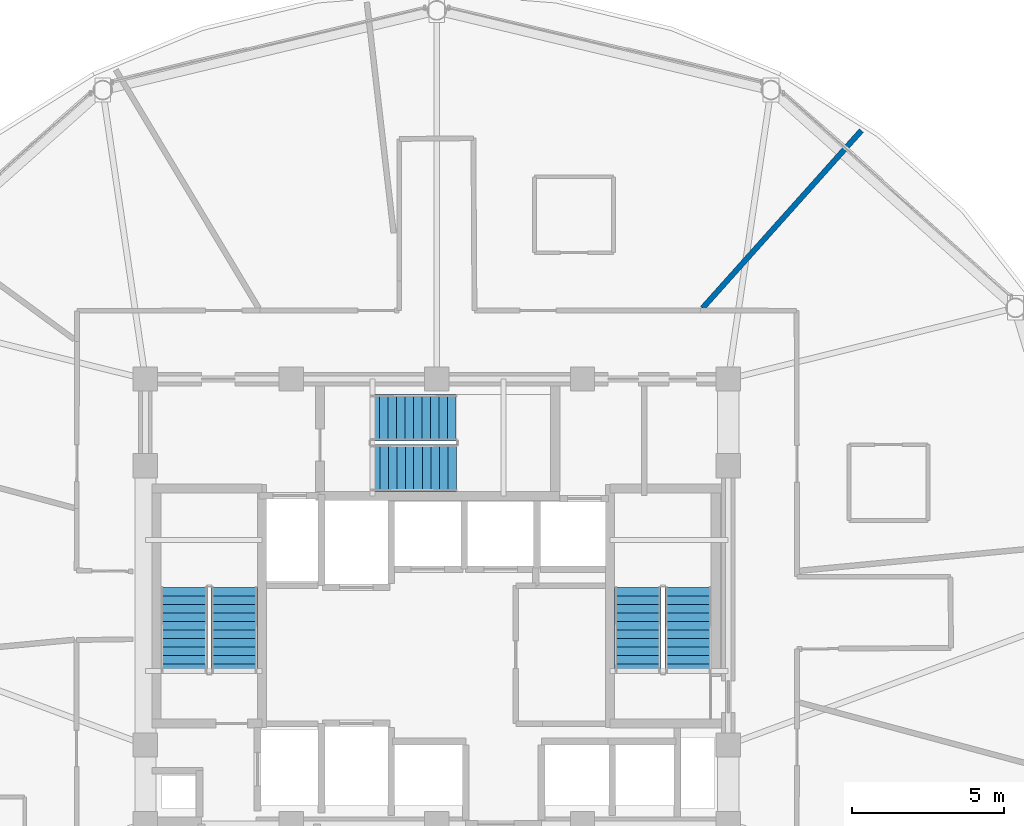
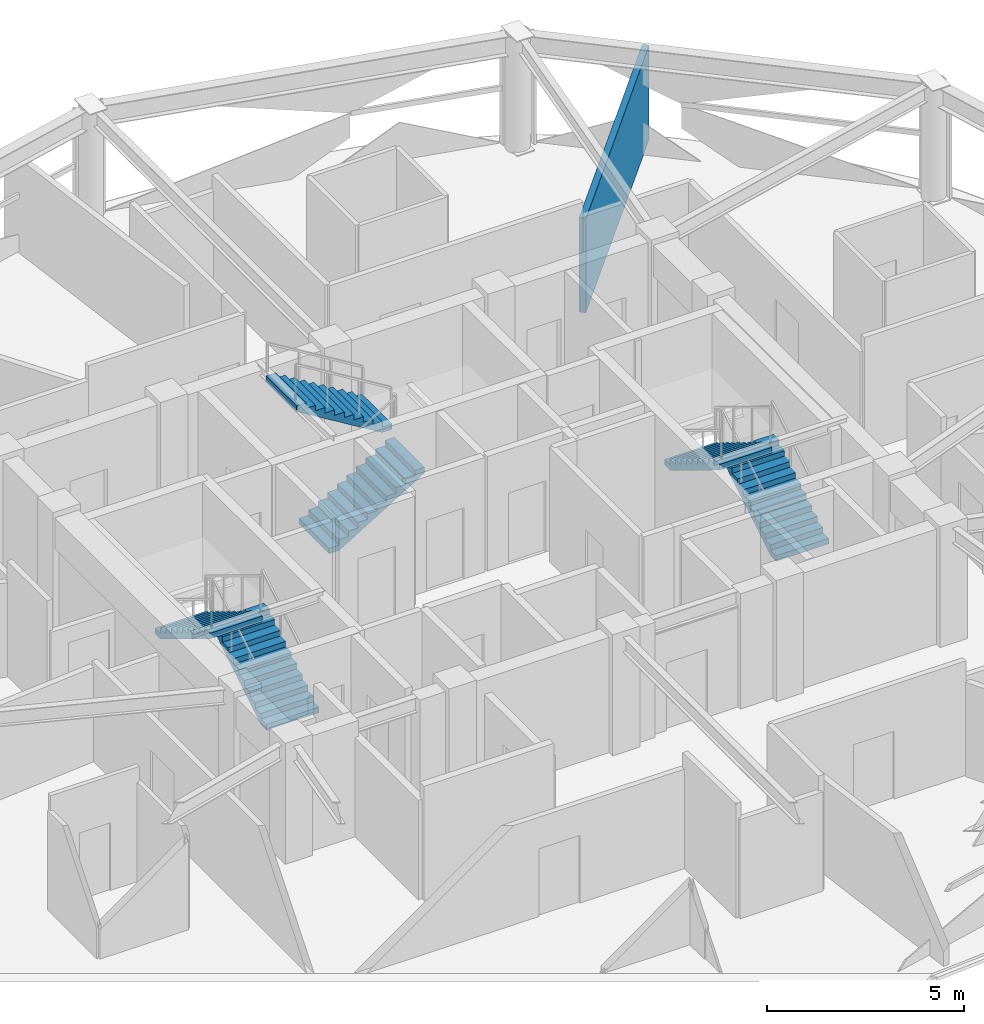
# One storey, part 24 of 28: 6 stair flights, 1 wall, 3 elements without a shape of their own.
"""IFC4 building model written with IfcOpenShell, lengths in metres."""

from ifc_helpers import new_model, si_unit, direction, frame, frame_2d, origin, place, context, subcontext, project, spatial, polyline, rectangle, outline, extrude, material, layer, layer_set, type_object, element, aggregate, save


model = new_model("IFC4")

# Units and contexts
model_context = context("Model", 3, precision=1e-05, world=origin(), true_north=direction((0.0, 1.0)))
body_context = subcontext(model_context, "Body", "Model", "MODEL_VIEW")
ifc_project = project(units=[si_unit("LENGTHUNIT", "METRE"), si_unit("AREAUNIT", "SQUARE_METRE"), si_unit("VOLUMEUNIT", "CUBIC_METRE"), si_unit("PLANEANGLEUNIT", "RADIAN"), si_unit("MASSUNIT", "GRAM", prefix="KILO")], contexts=[model_context])

# Site, building, storey
site_placement = place(None, origin())
site = spatial("IfcSite", under=ifc_project, at=site_placement, CompositionType="ELEMENT")
building_placement = place(site_placement, origin())
building = spatial("IfcBuilding", under=site, at=building_placement, Name="Vantalir Tower", CompositionType="ELEMENT")
storey_placement = place(building_placement, frame((0.0, 0.0, 223.64990234375)))
storey = spatial("IfcBuildingStorey", under=building, at=storey_placement, Name="L56", CompositionType="ELEMENT", Elevation=223.64990234375)

# Wall
ifc_material_1 = material(Name="Twin-stud acoustic fire-rated gypsum partition", Category="gypsum")
ifc_layer = layer(ifc_material_1, 0.179931640625)
ifc_layer_set = layer_set([ifc_layer], Name="Twin-stud acoustic fire-rated gypsum partition")
wall_type = type_object("IfcWallType", Name="WL-GUEST-180", PredefinedType="PARTITIONING", material=ifc_layer_set)
wall_placement = place(storey_placement, frame((40.2548828125, 34.7900390625, 0.0), z_axis=(0.0, 0.0, 1.0), x_axis=(0.666714816624, 0.745312923069, 0.0)))
element("IfcWall", 1, at=wall_placement, inside=storey, type_object=wall_type, Name="L56 Radial Suite Partition 02", PredefinedType="PARTITIONING", context=body_context, shape_type="SweptSolid", body=[
    extrude(rectangle(XDim=7.84619140625, YDim=0.179931640625, at=frame_2d((3.923095703125, 0.0))), origin(), (0.0, 0.0, 1.0), 2.925048828125),
])

# Stair, stair flights
ifc_material_2 = material(Name="Concrete C40/50", Category="concrete")
stair_type = type_object("IfcStairType", Name="STR-CORE-1450", PredefinedType="HALF_TURN_STAIR", material=ifc_material_2)
stair_1_placement = place(storey_placement, origin())
stair_1 = element("IfcStair", 2, at=stair_1_placement, inside=storey, type_object=stair_type, Name="L56 Core Exit Stair 1", PredefinedType="HALF_TURN_STAIR")
stair_flight_type = type_object("IfcStairFlightType", Name="FLT-CORE-1450", PredefinedType="STRAIGHT", material=ifc_material_2)
stair_flight_1_placement = place(storey_placement, frame((24.830078125, 22.7900390625, 0.0), z_axis=(0.0, 0.0, 1.0), x_axis=(0.0, 1.0, 0.0)))
stair_flight_1 = element("IfcStairFlight", 3, at=stair_flight_1_placement, type_object=stair_flight_type, Name="ST1 flight 1", NumberOfRisers=11, NumberOfTreads=10, PredefinedType="STRAIGHT", RiserHeight=0.170454545, TreadLength=0.28, context=body_context, shape_type="SweptSolid", body=[
    extrude(outline(polyline([(0.0, 0.0), (0.0, 0.17041015625), (0.280029296875, 0.17041015625), (0.280029296875, 0.3408203125), (0.56005859375, 0.3408203125), (0.56005859375, 0.511474609375), (0.840087890625, 0.511474609375), (0.840087890625, 0.681884765625), (1.1201171875, 0.681884765625), (1.1201171875, 0.852294921875), (1.39990234375, 0.852294921875), (1.39990234375, 1.022705078125), (1.679931640625, 1.022705078125), (1.679931640625, 1.193115234375), (1.9599609375, 1.193115234375), (1.9599609375, 1.363525390625), (2.239990234375, 1.363525390625), (2.239990234375, 1.5341796875), (2.52001953125, 1.5341796875), (2.52001953125, 1.70458984375), (2.800048828125, 1.70458984375), (2.800048828125, 1.875), (2.800048828125, 1.529052734375), (0.288330078125, 0.0), (0.0, 0.0)])), frame((0.0, 0.77001953125, 0.0), z_axis=(0.0, -1.0, 0.0), x_axis=(1.0, 0.0, 0.0)), (0.0, 0.0, 1.0), 1.5400390625),
])
stair_flight_2_placement = place(storey_placement, frame((23.169921875, 25.590087890625, 1.875), z_axis=(0.0, 0.0, 1.0), x_axis=(0.0, -1.0, 0.0)))
stair_flight_2 = element("IfcStairFlight", 4, at=stair_flight_2_placement, type_object=stair_flight_type, Name="ST1 flight 2", NumberOfRisers=11, NumberOfTreads=10, PredefinedType="STRAIGHT", RiserHeight=0.170454545, TreadLength=0.28, context=body_context, shape_type="SweptSolid", body=[
    extrude(outline(polyline([(0.0, 0.0), (0.0, 0.17041015625), (0.280029296875, 0.17041015625), (0.280029296875, 0.3408203125), (0.56005859375, 0.3408203125), (0.56005859375, 0.511474609375), (0.840087890625, 0.511474609375), (0.840087890625, 0.681884765625), (1.1201171875, 0.681884765625), (1.1201171875, 0.852294921875), (1.39990234375, 0.852294921875), (1.39990234375, 1.022705078125), (1.679931640625, 1.022705078125), (1.679931640625, 1.193115234375), (1.9599609375, 1.193115234375), (1.9599609375, 1.363525390625), (2.239990234375, 1.363525390625), (2.239990234375, 1.5341796875), (2.52001953125, 1.5341796875), (2.52001953125, 1.70458984375), (2.800048828125, 1.70458984375), (2.800048828125, 1.875), (2.800048828125, 1.529052734375), (0.288330078125, 0.0), (0.0, 0.0)])), frame((0.0, 0.77001953125, 0.0), z_axis=(0.0, -1.0, 0.0), x_axis=(1.0, 0.0, 0.0)), (0.0, 0.0, 1.0), 1.5400390625),
])
aggregate(stair_1, [stair_flight_1, stair_flight_2])

stair_2_placement = place(storey_placement, origin())
stair_2 = element("IfcStair", 5, at=stair_2_placement, inside=storey, type_object=stair_type, Name="L56 Core Exit Stair 2", PredefinedType="HALF_TURN_STAIR")
stair_flight_3_placement = place(storey_placement, frame((39.780029296875, 22.7900390625, 0.0), z_axis=(0.0, 0.0, 1.0), x_axis=(0.0, 1.0, 0.0)))
stair_flight_3 = element("IfcStairFlight", 6, at=stair_flight_3_placement, type_object=stair_flight_type, Name="ST2 flight 1", NumberOfRisers=11, NumberOfTreads=10, PredefinedType="STRAIGHT", RiserHeight=0.170454545, TreadLength=0.28, context=body_context, shape_type="SweptSolid", body=[
    extrude(outline(polyline([(0.0, 0.0), (0.0, 0.17041015625), (0.280029296875, 0.17041015625), (0.280029296875, 0.3408203125), (0.56005859375, 0.3408203125), (0.56005859375, 0.511474609375), (0.840087890625, 0.511474609375), (0.840087890625, 0.681884765625), (1.1201171875, 0.681884765625), (1.1201171875, 0.852294921875), (1.39990234375, 0.852294921875), (1.39990234375, 1.022705078125), (1.679931640625, 1.022705078125), (1.679931640625, 1.193115234375), (1.9599609375, 1.193115234375), (1.9599609375, 1.363525390625), (2.239990234375, 1.363525390625), (2.239990234375, 1.5341796875), (2.52001953125, 1.5341796875), (2.52001953125, 1.70458984375), (2.800048828125, 1.70458984375), (2.800048828125, 1.875), (2.800048828125, 1.529052734375), (0.288330078125, 0.0), (0.0, 0.0)])), frame((0.0, 0.77001953125, 0.0), z_axis=(0.0, -1.0, 0.0), x_axis=(1.0, 0.0, 0.0)), (0.0, 0.0, 1.0), 1.5400390625),
])
stair_flight_4_placement = place(storey_placement, frame((38.1201171875, 25.590087890625, 1.875), z_axis=(0.0, 0.0, 1.0), x_axis=(0.0, -1.0, 0.0)))
stair_flight_4 = element("IfcStairFlight", 7, at=stair_flight_4_placement, type_object=stair_flight_type, Name="ST2 flight 2", NumberOfRisers=11, NumberOfTreads=10, PredefinedType="STRAIGHT", RiserHeight=0.170454545, TreadLength=0.28, context=body_context, shape_type="SweptSolid", body=[
    extrude(outline(polyline([(0.0, 0.0), (0.0, 0.17041015625), (0.280029296875, 0.17041015625), (0.280029296875, 0.3408203125), (0.56005859375, 0.3408203125), (0.56005859375, 0.511474609375), (0.840087890625, 0.511474609375), (0.840087890625, 0.681884765625), (1.1201171875, 0.681884765625), (1.1201171875, 0.852294921875), (1.39990234375, 0.852294921875), (1.39990234375, 1.022705078125), (1.679931640625, 1.022705078125), (1.679931640625, 1.193115234375), (1.9599609375, 1.193115234375), (1.9599609375, 1.363525390625), (2.239990234375, 1.363525390625), (2.239990234375, 1.5341796875), (2.52001953125, 1.5341796875), (2.52001953125, 1.70458984375), (2.800048828125, 1.70458984375), (2.800048828125, 1.875), (2.800048828125, 1.529052734375), (0.288330078125, 0.0), (0.0, 0.0)])), frame((0.0, 0.77001953125, 0.0), z_axis=(0.0, -1.0, 0.0), x_axis=(1.0, 0.0, 0.0)), (0.0, 0.0, 1.0), 1.5400390625),
])
aggregate(stair_2, [stair_flight_3, stair_flight_4])

stair_3_placement = place(storey_placement, origin())
stair_3 = element("IfcStair", 8, at=stair_3_placement, inside=storey, type_object=stair_type, Name="L56 Core Exit Stair 3", PredefinedType="HALF_TURN_STAIR")
stair_flight_5_placement = place(storey_placement, frame((29.340087890625, 29.52001953125, 0.0), z_axis=(0.0, 0.0, 1.0), x_axis=(1.0, 0.0, 0.0)))
stair_flight_5 = element("IfcStairFlight", 9, at=stair_flight_5_placement, type_object=stair_flight_type, Name="ST3 flight 1", NumberOfRisers=11, NumberOfTreads=10, PredefinedType="STRAIGHT", RiserHeight=0.170454545, TreadLength=0.28, context=body_context, shape_type="SweptSolid", body=[
    extrude(outline(polyline([(0.0, 0.0), (0.0, 0.17041015625), (0.280029296875, 0.17041015625), (0.280029296875, 0.3408203125), (0.56005859375, 0.3408203125), (0.56005859375, 0.511474609375), (0.840087890625, 0.511474609375), (0.840087890625, 0.681884765625), (1.1201171875, 0.681884765625), (1.1201171875, 0.852294921875), (1.39990234375, 0.852294921875), (1.39990234375, 1.022705078125), (1.679931640625, 1.022705078125), (1.679931640625, 1.193115234375), (1.9599609375, 1.193115234375), (1.9599609375, 1.363525390625), (2.239990234375, 1.363525390625), (2.239990234375, 1.5341796875), (2.52001953125, 1.5341796875), (2.52001953125, 1.70458984375), (2.800048828125, 1.70458984375), (2.800048828125, 1.875), (2.800048828125, 1.529052734375), (0.288330078125, 0.0), (0.0, 0.0)])), frame((0.0, 0.77001953125, 0.0), z_axis=(0.0, -1.0, 0.0), x_axis=(1.0, 0.0, 0.0)), (0.0, 0.0, 1.0), 1.5400390625),
])
stair_flight_6_placement = place(storey_placement, frame((32.139892578125, 31.179931640625, 1.875), z_axis=(0.0, 0.0, 1.0), x_axis=(-1.0, 0.0, 0.0)))
stair_flight_6 = element("IfcStairFlight", 10, at=stair_flight_6_placement, type_object=stair_flight_type, Name="ST3 flight 2", NumberOfRisers=11, NumberOfTreads=10, PredefinedType="STRAIGHT", RiserHeight=0.170454545, TreadLength=0.28, context=body_context, shape_type="SweptSolid", body=[
    extrude(outline(polyline([(0.0, 0.0), (0.0, 0.17041015625), (0.280029296875, 0.17041015625), (0.280029296875, 0.3408203125), (0.56005859375, 0.3408203125), (0.56005859375, 0.511474609375), (0.840087890625, 0.511474609375), (0.840087890625, 0.681884765625), (1.1201171875, 0.681884765625), (1.1201171875, 0.852294921875), (1.39990234375, 0.852294921875), (1.39990234375, 1.022705078125), (1.679931640625, 1.022705078125), (1.679931640625, 1.193115234375), (1.9599609375, 1.193115234375), (1.9599609375, 1.363525390625), (2.239990234375, 1.363525390625), (2.239990234375, 1.5341796875), (2.52001953125, 1.5341796875), (2.52001953125, 1.70458984375), (2.800048828125, 1.70458984375), (2.800048828125, 1.875), (2.800048828125, 1.529052734375), (0.288330078125, 0.0), (0.0, 0.0)])), frame((0.0, 0.77001953125, 0.0), z_axis=(0.0, -1.0, 0.0), x_axis=(1.0, 0.0, 0.0)), (0.0, 0.0, 1.0), 1.5400390625),
])
aggregate(stair_3, [stair_flight_5, stair_flight_6])

save(model, "model.ifc")
